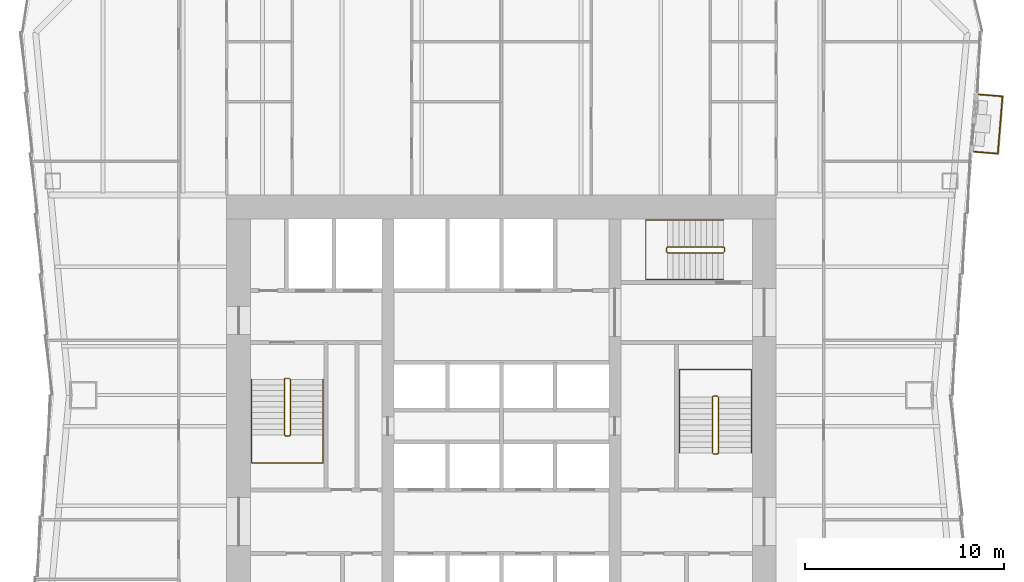
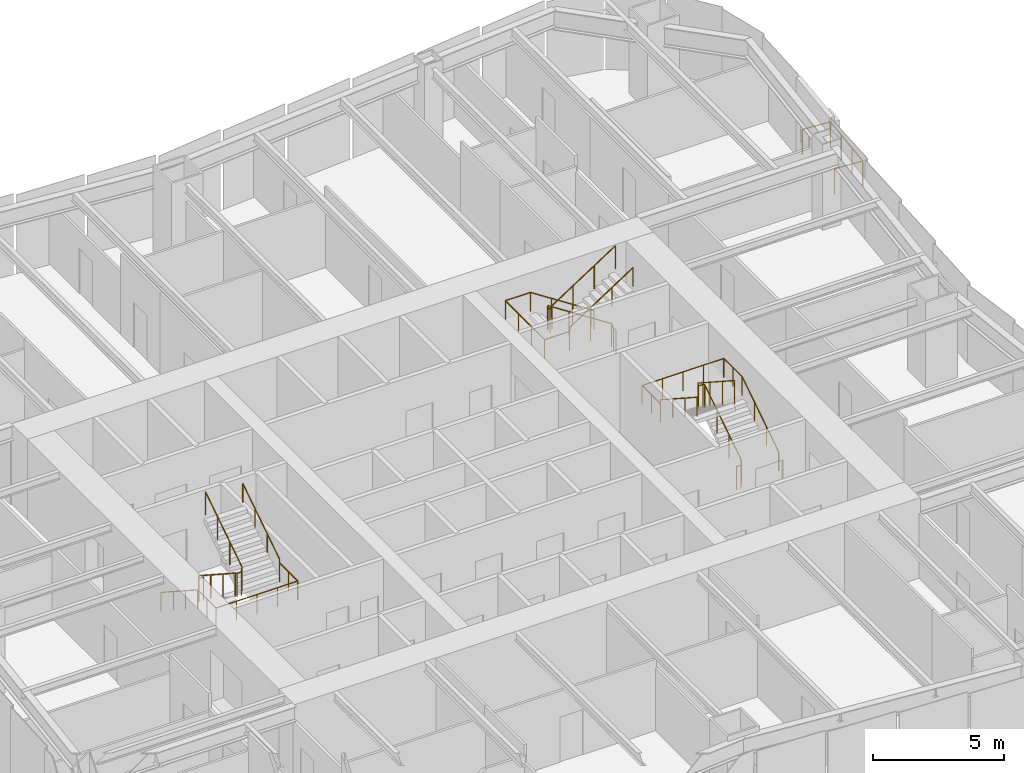
# One storey, part 8 of 9: 7 railings.
"""IFC4 building model written with IfcOpenShell, lengths in metres."""

from ifc_helpers import new_model, si_unit, direction, frame, origin, origin_2d, place, context, subcontext, project, spatial, circle, extrude, material, type_object, element, save


model = new_model("IFC4")

# Units and contexts
model_context = context("Model", 3, precision=1e-05, world=origin(), true_north=direction((0.0, 1.0)))
body_context = subcontext(model_context, "Body", "Model", "MODEL_VIEW")
ifc_project = project(units=[si_unit("LENGTHUNIT", "METRE"), si_unit("AREAUNIT", "SQUARE_METRE"), si_unit("VOLUMEUNIT", "CUBIC_METRE"), si_unit("PLANEANGLEUNIT", "RADIAN"), si_unit("MASSUNIT", "GRAM", prefix="KILO")], contexts=[model_context])

# Site, building, storey
site_placement = place(None, origin())
site = spatial("IfcSite", under=ifc_project, at=site_placement, CompositionType="ELEMENT")
building_placement = place(site_placement, origin())
building = spatial("IfcBuilding", under=site, at=building_placement, Name="Verdant Reach Tower", CompositionType="ELEMENT")
storey_placement = place(building_placement, frame((0.0, 0.0, 110.0)))
storey = spatial("IfcBuildingStorey", under=building, at=storey_placement, Name="L25", CompositionType="ELEMENT", Elevation=110.0)

# Railings
ifc_material_1 = material(Name="Stainless steel", Category="steel")
railing_type_1 = type_object("IfcRailingType", Name="CO-GUARD", PredefinedType="GUARDRAIL", material=ifc_material_1)
railing_1_placement = place(storey_placement, frame((-10.64990234375, 29.60009765625, 0.0)))
element("IfcRailing", 1, at=railing_1_placement, inside=storey, type_object=railing_type_1, Name="L25 ST-1 stair guard 1", PredefinedType="GUARDRAIL", context=body_context, shape_type="SweptSolid", body=[
    extrude(circle(Radius=0.02392578125, at=origin_2d()), frame((0.0, 0.0, 1.076171875), z_axis=(-1.0, 0.0, 0.0), x_axis=(0.0, -1.0, 0.0)), (0.0, 0.0, 1.0), 0.2001953125),
    extrude(circle(Radius=0.02392578125, at=origin_2d()), frame((-0.2001953125, 0.0, 1.076171875), z_axis=(-0.25526617399, -0.256517478764, 0.932222056972), x_axis=(0.708833529934, -0.705375805398, 0.0)), (0.0, 0.0, 1.0), 0.195068359375),
    extrude(circle(Radius=0.02392578125, at=origin_2d()), frame((-0.25, -0.050048828125, 1.2578125), z_axis=(0.0, -0.838705829183, 0.544584733623), x_axis=(1.0, 0.0, 0.0)), (0.0, 0.0, 1.0), 3.338623046875),
    extrude(circle(Radius=0.02392578125, at=origin_2d()), frame((-0.25, -2.85009765625, 3.076171875), z_axis=(0.705375805398, -0.708833529934, 0.0), x_axis=(0.708833529934, 0.705375805398, 0.0)), (0.0, 0.0, 1.0), 0.070556640625),
    extrude(circle(Radius=0.02392578125, at=origin_2d()), frame((-0.2001953125, -2.900146484375, 3.076171875), z_axis=(1.0, 0.0, 0.0), x_axis=(0.0, 1.0, 0.0)), (0.0, 0.0, 1.0), 0.2001953125),
    extrude(circle(Radius=0.02392578125, at=origin_2d()), frame((0.0, -2.900146484375, 3.076171875), z_axis=(0.25526617399, 0.256517478764, 0.932222056972), x_axis=(-0.708833529934, 0.705375805398, 0.0)), (0.0, 0.0, 1.0), 0.195068359375),
    extrude(circle(Radius=0.02392578125, at=origin_2d()), frame((0.0498046875, -2.85009765625, 3.2578125), z_axis=(0.0, 0.838705829183, 0.544584733623), x_axis=(-1.0, 0.0, 0.0)), (0.0, 0.0, 1.0), 3.338623046875),
    extrude(circle(Radius=0.02099609375, at=origin_2d()), origin(), (0.0, 0.0, 1.0), 1.052001953125),
    extrude(circle(Radius=0.02099609375, at=origin_2d()), frame((-0.2001953125, 0.0, 0.0)), (0.0, 0.0, 1.0), 1.052001953125),
    extrude(circle(Radius=0.02099609375, at=origin_2d()), frame((-0.25, -0.050048828125, 0.181884765625)), (0.0, 0.0, 1.0), 1.052001953125),
    extrude(circle(Radius=0.02099609375, at=origin_2d()), frame((-0.25, -0.9833984375, 0.787841796875)), (0.0, 0.0, 1.0), 1.052001953125),
    extrude(circle(Radius=0.02099609375, at=origin_2d()), frame((-0.25, -1.916748046875, 1.39404296875)), (0.0, 0.0, 1.0), 1.052001953125),
    extrude(circle(Radius=0.02099609375, at=origin_2d()), frame((-0.25, -2.85009765625, 2.0)), (0.0, 0.0, 1.0), 1.052001953125),
    extrude(circle(Radius=0.02099609375, at=origin_2d()), frame((-0.2001953125, -2.900146484375, 2.0)), (0.0, 0.0, 1.0), 1.052001953125),
    extrude(circle(Radius=0.02099609375, at=origin_2d()), frame((0.0, -2.900146484375, 2.0)), (0.0, 0.0, 1.0), 1.052001953125),
    extrude(circle(Radius=0.02099609375, at=origin_2d()), frame((0.0498046875, -2.85009765625, 2.181884765625)), (0.0, 0.0, 1.0), 1.052001953125),
    extrude(circle(Radius=0.02099609375, at=origin_2d()), frame((0.0498046875, -1.916748046875, 2.787841796875)), (0.0, 0.0, 1.0), 1.052001953125),
    extrude(circle(Radius=0.02099609375, at=origin_2d()), frame((0.0498046875, -0.9833984375, 3.39404296875)), (0.0, 0.0, 1.0), 1.052001953125),
    extrude(circle(Radius=0.02099609375, at=origin_2d()), frame((0.0498046875, -0.050048828125, 4.0)), (0.0, 0.0, 1.0), 1.052001953125),
])
railing_2_placement = place(storey_placement, frame((10.64990234375, 25.800048828125, 0.0)))
element("IfcRailing", 2, at=railing_2_placement, inside=storey, type_object=railing_type_1, Name="L25 ST-2 stair guard 1", PredefinedType="GUARDRAIL", context=body_context, shape_type="SweptSolid", body=[
    extrude(circle(Radius=0.02392578125, at=origin_2d()), frame((0.0, 0.0, 1.076171875), z_axis=(1.0, 0.0, 0.0), x_axis=(0.0, 1.0, 0.0)), (0.0, 0.0, 1.0), 0.2001953125),
    extrude(circle(Radius=0.02392578125, at=origin_2d()), frame((0.2001953125, 0.0, 1.076171875), z_axis=(0.25526617399, 0.256517478764, 0.932222056972), x_axis=(-0.708833529934, 0.705375805398, 0.0)), (0.0, 0.0, 1.0), 0.195068359375),
    extrude(circle(Radius=0.02392578125, at=origin_2d()), frame((0.25, 0.050048828125, 1.2578125), z_axis=(0.0, 0.83868413941, 0.544618136222), x_axis=(-1.0, 0.0, 0.0)), (0.0, 0.0, 1.0), 3.33837890625),
    extrude(circle(Radius=0.02392578125, at=origin_2d()), frame((0.25, 2.849853515625, 3.076171875), z_axis=(-0.705375805398, 0.708833529934, 0.0), x_axis=(-0.708833529934, -0.705375805398, 0.0)), (0.0, 0.0, 1.0), 0.070556640625),
    extrude(circle(Radius=0.02392578125, at=origin_2d()), frame((0.2001953125, 2.89990234375, 3.076171875), z_axis=(-1.0, 0.0, 0.0), x_axis=(0.0, -1.0, 0.0)), (0.0, 0.0, 1.0), 0.2001953125),
    extrude(circle(Radius=0.02392578125, at=origin_2d()), frame((0.0, 2.89990234375, 3.076171875), z_axis=(-0.25526617399, -0.256517478764, 0.932222056972), x_axis=(0.708833529934, -0.705375805398, 0.0)), (0.0, 0.0, 1.0), 0.195068359375),
    extrude(circle(Radius=0.02392578125, at=origin_2d()), frame((-0.0498046875, 2.849853515625, 3.2578125), z_axis=(0.0, -0.83868413941, 0.544618136222), x_axis=(1.0, 0.0, 0.0)), (0.0, 0.0, 1.0), 3.33837890625),
    extrude(circle(Radius=0.02099609375, at=origin_2d()), origin(), (0.0, 0.0, 1.0), 1.052001953125),
    extrude(circle(Radius=0.02099609375, at=origin_2d()), frame((0.2001953125, 0.0, 0.0)), (0.0, 0.0, 1.0), 1.052001953125),
    extrude(circle(Radius=0.02099609375, at=origin_2d()), frame((0.25, 0.050048828125, 0.181884765625)), (0.0, 0.0, 1.0), 1.052001953125),
    extrude(circle(Radius=0.02099609375, at=origin_2d()), frame((0.25, 0.9833984375, 0.787841796875)), (0.0, 0.0, 1.0), 1.052001953125),
    extrude(circle(Radius=0.02099609375, at=origin_2d()), frame((0.25, 1.91650390625, 1.39404296875)), (0.0, 0.0, 1.0), 1.052001953125),
    extrude(circle(Radius=0.02099609375, at=origin_2d()), frame((0.25, 2.849853515625, 2.0)), (0.0, 0.0, 1.0), 1.052001953125),
    extrude(circle(Radius=0.02099609375, at=origin_2d()), frame((0.2001953125, 2.89990234375, 2.0)), (0.0, 0.0, 1.0), 1.052001953125),
    extrude(circle(Radius=0.02099609375, at=origin_2d()), frame((0.0, 2.89990234375, 2.0)), (0.0, 0.0, 1.0), 1.052001953125),
    extrude(circle(Radius=0.02099609375, at=origin_2d()), frame((-0.0498046875, 2.849853515625, 2.181884765625)), (0.0, 0.0, 1.0), 1.052001953125),
    extrude(circle(Radius=0.02099609375, at=origin_2d()), frame((-0.0498046875, 1.91650390625, 2.787841796875)), (0.0, 0.0, 1.0), 1.052001953125),
    extrude(circle(Radius=0.02099609375, at=origin_2d()), frame((-0.0498046875, 0.9833984375, 3.39404296875)), (0.0, 0.0, 1.0), 1.052001953125),
    extrude(circle(Radius=0.02099609375, at=origin_2d()), frame((-0.0498046875, 0.050048828125, 4.0)), (0.0, 0.0, 1.0), 1.052001953125),
])
railing_3_placement = place(storey_placement, frame((11.199951171875, 35.949951171875, 0.0)))
element("IfcRailing", 3, at=railing_3_placement, inside=storey, type_object=railing_type_1, Name="L25 ST-3 stair guard 1", PredefinedType="GUARDRAIL", context=body_context, shape_type="SweptSolid", body=[
    extrude(circle(Radius=0.02392578125, at=origin_2d()), frame((0.0, 0.0, 1.076171875), z_axis=(0.0, 1.0, 0.0), x_axis=(-1.0, 0.0, 0.0)), (0.0, 0.0, 1.0), 0.199951171875),
    extrude(circle(Radius=0.02392578125, at=origin_2d()), frame((0.0, 0.199951171875, 1.076171875), z_axis=(-0.256435381639, 0.256435381639, 0.931923704005), x_axis=(-0.707106781187, -0.707106781187, 0.0)), (0.0, 0.0, 1.0), 0.195068359375),
    extrude(circle(Radius=0.02392578125, at=origin_2d()), frame((-0.050048828125, 0.25, 1.2578125), z_axis=(-0.83868413941, 0.0, 0.544618136222), x_axis=(0.0, -1.0, 0.0)), (0.0, 0.0, 1.0), 3.33837890625),
    extrude(circle(Radius=0.02392578125, at=origin_2d()), frame((-2.849853515625, 0.25, 3.076171875), z_axis=(-0.707106781187, -0.707106781187, 0.0), x_axis=(0.707106781187, -0.707106781187, 0.0)), (0.0, 0.0, 1.0), 0.07080078125),
    extrude(circle(Radius=0.02392578125, at=origin_2d()), frame((-2.89990234375, 0.199951171875, 3.076171875), z_axis=(0.0, -1.0, 0.0), x_axis=(1.0, 0.0, 0.0)), (0.0, 0.0, 1.0), 0.199951171875),
    extrude(circle(Radius=0.02392578125, at=origin_2d()), frame((-2.89990234375, 0.0, 3.076171875), z_axis=(0.256435381639, -0.256435381639, 0.931923704005), x_axis=(0.707106781187, 0.707106781187, 0.0)), (0.0, 0.0, 1.0), 0.195068359375),
    extrude(circle(Radius=0.02392578125, at=origin_2d()), frame((-2.849853515625, -0.050048828125, 3.2578125), z_axis=(0.83868413941, 0.0, 0.544618136222), x_axis=(0.0, 1.0, 0.0)), (0.0, 0.0, 1.0), 3.33837890625),
    extrude(circle(Radius=0.02099609375, at=origin_2d()), origin(), (0.0, 0.0, 1.0), 1.052001953125),
    extrude(circle(Radius=0.02099609375, at=origin_2d()), frame((0.0, 0.199951171875, 0.0)), (0.0, 0.0, 1.0), 1.052001953125),
    extrude(circle(Radius=0.02099609375, at=origin_2d()), frame((-0.050048828125, 0.25, 0.181884765625)), (0.0, 0.0, 1.0), 1.052001953125),
    extrude(circle(Radius=0.02099609375, at=origin_2d()), frame((-0.9833984375, 0.25, 0.787841796875)), (0.0, 0.0, 1.0), 1.052001953125),
    extrude(circle(Radius=0.02099609375, at=origin_2d()), frame((-1.91650390625, 0.25, 1.39404296875)), (0.0, 0.0, 1.0), 1.052001953125),
    extrude(circle(Radius=0.02099609375, at=origin_2d()), frame((-2.849853515625, 0.25, 2.0)), (0.0, 0.0, 1.0), 1.052001953125),
    extrude(circle(Radius=0.02099609375, at=origin_2d()), frame((-2.89990234375, 0.199951171875, 2.0)), (0.0, 0.0, 1.0), 1.052001953125),
    extrude(circle(Radius=0.02099609375, at=origin_2d()), frame((-2.89990234375, 0.0, 2.0)), (0.0, 0.0, 1.0), 1.052001953125),
    extrude(circle(Radius=0.02099609375, at=origin_2d()), frame((-2.849853515625, -0.050048828125, 2.181884765625)), (0.0, 0.0, 1.0), 1.052001953125),
    extrude(circle(Radius=0.02099609375, at=origin_2d()), frame((-1.91650390625, -0.050048828125, 2.787841796875)), (0.0, 0.0, 1.0), 1.052001953125),
    extrude(circle(Radius=0.02099609375, at=origin_2d()), frame((-0.9833984375, -0.050048828125, 3.39404296875)), (0.0, 0.0, 1.0), 1.052001953125),
    extrude(circle(Radius=0.02099609375, at=origin_2d()), frame((-0.050048828125, -0.050048828125, 4.0)), (0.0, 0.0, 1.0), 1.052001953125),
])
railing_type_2 = type_object("IfcRailingType", Name="CO-HANDRAIL", PredefinedType="HANDRAIL", material=ifc_material_1)
railing_4_placement = place(storey_placement, frame((-12.550048828125, 29.550048828125, 0.181884765625)))
element("IfcRailing", 4, at=railing_4_placement, inside=storey, type_object=railing_type_2, Name="L25 ST-1 stair handrail 1", PredefinedType="HANDRAIL", context=body_context, shape_type="SweptSolid", body=[
    extrude(circle(Radius=0.02392578125, at=origin_2d()), frame((0.0, 0.0, 0.8759765625), z_axis=(0.0, -0.838705829183, 0.544584733623), x_axis=(1.0, 0.0, 0.0)), (0.0, 0.0, 1.0), 3.338623046875),
    extrude(circle(Radius=0.02392578125, at=origin_2d()), frame((0.0, -2.800048828125, 2.69384765625), z_axis=(0.0, -1.0, 0.0), x_axis=(1.0, 0.0, 0.0)), (0.0, 0.0, 1.0), 1.39990234375),
    extrude(circle(Radius=0.02392578125, at=origin_2d()), frame((0.0, -4.199951171875, 2.69384765625), z_axis=(1.0, 0.0, 0.0), x_axis=(0.0, 1.0, 0.0)), (0.0, 0.0, 1.0), 3.60009765625),
    extrude(circle(Radius=0.02392578125, at=origin_2d()), frame((3.60009765625, -4.199951171875, 2.69384765625), z_axis=(0.0, 1.0, 0.0), x_axis=(-1.0, 0.0, 0.0)), (0.0, 0.0, 1.0), 1.39990234375),
    extrude(circle(Radius=0.02392578125, at=origin_2d()), frame((3.60009765625, -2.800048828125, 2.69384765625), z_axis=(0.0, 0.0, 1.0), x_axis=(1.0, 0.0, 0.0)), (0.0, 0.0, 1.0), 0.181884765625),
    extrude(circle(Radius=0.02392578125, at=origin_2d()), frame((3.60009765625, -2.800048828125, 2.8759765625), z_axis=(0.0, 0.838705829183, 0.544584733623), x_axis=(-1.0, 0.0, 0.0)), (0.0, 0.0, 1.0), 3.338623046875),
    extrude(circle(Radius=0.02099609375, at=origin_2d()), origin(), (0.0, 0.0, 1.0), 0.851806640625),
    extrude(circle(Radius=0.02099609375, at=origin_2d()), frame((0.0, -0.933349609375, 0.60595703125)), (0.0, 0.0, 1.0), 0.851806640625),
    extrude(circle(Radius=0.02099609375, at=origin_2d()), frame((0.0, -1.86669921875, 1.212158203125)), (0.0, 0.0, 1.0), 0.851806640625),
    extrude(circle(Radius=0.02099609375, at=origin_2d()), frame((0.0, -2.800048828125, 1.818115234375)), (0.0, 0.0, 1.0), 0.851806640625),
    extrude(circle(Radius=0.02099609375, at=origin_2d()), frame((0.0, -3.5, 1.818115234375)), (0.0, 0.0, 1.0), 0.851806640625),
    extrude(circle(Radius=0.02099609375, at=origin_2d()), frame((0.0, -4.199951171875, 1.818115234375)), (0.0, 0.0, 1.0), 0.851806640625),
    extrude(circle(Radius=0.02099609375, at=origin_2d()), frame((0.89990234375, -4.199951171875, 1.818115234375)), (0.0, 0.0, 1.0), 0.851806640625),
    extrude(circle(Radius=0.02099609375, at=origin_2d()), frame((1.800048828125, -4.199951171875, 1.818115234375)), (0.0, 0.0, 1.0), 0.851806640625),
    extrude(circle(Radius=0.02099609375, at=origin_2d()), frame((2.7001953125, -4.199951171875, 1.818115234375)), (0.0, 0.0, 1.0), 0.851806640625),
    extrude(circle(Radius=0.02099609375, at=origin_2d()), frame((3.60009765625, -4.199951171875, 1.818115234375)), (0.0, 0.0, 1.0), 0.851806640625),
    extrude(circle(Radius=0.02099609375, at=origin_2d()), frame((3.60009765625, -3.5, 1.818115234375)), (0.0, 0.0, 1.0), 0.851806640625),
    extrude(circle(Radius=0.02099609375, at=origin_2d()), frame((3.60009765625, -2.800048828125, 1.818115234375)), (0.0, 0.0, 1.0), 0.851806640625),
    extrude(circle(Radius=0.02099609375, at=origin_2d()), frame((3.60009765625, -2.800048828125, 2.0)), (0.0, 0.0, 1.0), 0.851806640625),
    extrude(circle(Radius=0.02099609375, at=origin_2d()), frame((3.60009765625, -1.86669921875, 2.60595703125)), (0.0, 0.0, 1.0), 0.851806640625),
    extrude(circle(Radius=0.02099609375, at=origin_2d()), frame((3.60009765625, -0.933349609375, 3.212158203125)), (0.0, 0.0, 1.0), 0.851806640625),
    extrude(circle(Radius=0.02099609375, at=origin_2d()), frame((3.60009765625, 0.0, 3.818115234375)), (0.0, 0.0, 1.0), 0.851806640625),
])
railing_5_placement = place(storey_placement, frame((12.550048828125, 25.85009765625, 0.181884765625)))
element("IfcRailing", 5, at=railing_5_placement, inside=storey, type_object=railing_type_2, Name="L25 ST-2 stair handrail 1", PredefinedType="HANDRAIL", context=body_context, shape_type="SweptSolid", body=[
    extrude(circle(Radius=0.02392578125, at=origin_2d()), frame((0.0, 0.0, 0.8759765625), z_axis=(0.0, 0.83868413941, 0.544618136222), x_axis=(-1.0, 0.0, 0.0)), (0.0, 0.0, 1.0), 3.33837890625),
    extrude(circle(Radius=0.02392578125, at=origin_2d()), frame((0.0, 2.7998046875, 2.69384765625), z_axis=(0.0, 1.0, 0.0), x_axis=(-1.0, 0.0, 0.0)), (0.0, 0.0, 1.0), 1.400146484375),
    extrude(circle(Radius=0.02392578125, at=origin_2d()), frame((0.0, 4.199951171875, 2.69384765625), z_axis=(-1.0, 0.0, 0.0), x_axis=(0.0, -1.0, 0.0)), (0.0, 0.0, 1.0), 3.60009765625),
    extrude(circle(Radius=0.02392578125, at=origin_2d()), frame((-3.60009765625, 4.199951171875, 2.69384765625), z_axis=(0.0, -1.0, 0.0), x_axis=(1.0, 0.0, 0.0)), (0.0, 0.0, 1.0), 1.400146484375),
    extrude(circle(Radius=0.02392578125, at=origin_2d()), frame((-3.60009765625, 2.7998046875, 2.69384765625), z_axis=(0.0, 0.0, 1.0), x_axis=(1.0, 0.0, 0.0)), (0.0, 0.0, 1.0), 0.181884765625),
    extrude(circle(Radius=0.02392578125, at=origin_2d()), frame((-3.60009765625, 2.7998046875, 2.8759765625), z_axis=(0.0, -0.83868413941, 0.544618136222), x_axis=(1.0, 0.0, 0.0)), (0.0, 0.0, 1.0), 3.33837890625),
    extrude(circle(Radius=0.02099609375, at=origin_2d()), origin(), (0.0, 0.0, 1.0), 0.851806640625),
    extrude(circle(Radius=0.02099609375, at=origin_2d()), frame((0.0, 0.933349609375, 0.60595703125)), (0.0, 0.0, 1.0), 0.851806640625),
    extrude(circle(Radius=0.02099609375, at=origin_2d()), frame((0.0, 1.866455078125, 1.212158203125)), (0.0, 0.0, 1.0), 0.851806640625),
    extrude(circle(Radius=0.02099609375, at=origin_2d()), frame((0.0, 2.7998046875, 1.818115234375)), (0.0, 0.0, 1.0), 0.851806640625),
    extrude(circle(Radius=0.02099609375, at=origin_2d()), frame((0.0, 3.5, 1.818115234375)), (0.0, 0.0, 1.0), 0.851806640625),
    extrude(circle(Radius=0.02099609375, at=origin_2d()), frame((0.0, 4.199951171875, 1.818115234375)), (0.0, 0.0, 1.0), 0.851806640625),
    extrude(circle(Radius=0.02099609375, at=origin_2d()), frame((-0.89990234375, 4.199951171875, 1.818115234375)), (0.0, 0.0, 1.0), 0.851806640625),
    extrude(circle(Radius=0.02099609375, at=origin_2d()), frame((-1.800048828125, 4.199951171875, 1.818115234375)), (0.0, 0.0, 1.0), 0.851806640625),
    extrude(circle(Radius=0.02099609375, at=origin_2d()), frame((-2.7001953125, 4.199951171875, 1.818115234375)), (0.0, 0.0, 1.0), 0.851806640625),
    extrude(circle(Radius=0.02099609375, at=origin_2d()), frame((-3.60009765625, 4.199951171875, 1.818115234375)), (0.0, 0.0, 1.0), 0.851806640625),
    extrude(circle(Radius=0.02099609375, at=origin_2d()), frame((-3.60009765625, 3.5, 1.818115234375)), (0.0, 0.0, 1.0), 0.851806640625),
    extrude(circle(Radius=0.02099609375, at=origin_2d()), frame((-3.60009765625, 2.7998046875, 1.818115234375)), (0.0, 0.0, 1.0), 0.851806640625),
    extrude(circle(Radius=0.02099609375, at=origin_2d()), frame((-3.60009765625, 2.7998046875, 2.0)), (0.0, 0.0, 1.0), 0.851806640625),
    extrude(circle(Radius=0.02099609375, at=origin_2d()), frame((-3.60009765625, 1.866455078125, 2.60595703125)), (0.0, 0.0, 1.0), 0.851806640625),
    extrude(circle(Radius=0.02099609375, at=origin_2d()), frame((-3.60009765625, 0.933349609375, 3.212158203125)), (0.0, 0.0, 1.0), 0.851806640625),
    extrude(circle(Radius=0.02099609375, at=origin_2d()), frame((-3.60009765625, 0.0, 3.818115234375)), (0.0, 0.0, 1.0), 0.851806640625),
])
railing_6_placement = place(storey_placement, frame((11.14990234375, 37.550048828125, 0.181884765625)))
element("IfcRailing", 6, at=railing_6_placement, inside=storey, type_object=railing_type_2, Name="L25 ST-3 stair handrail 1", PredefinedType="HANDRAIL", context=body_context, shape_type="SweptSolid", body=[
    extrude(circle(Radius=0.02392578125, at=origin_2d()), frame((0.0, 0.0, 0.8759765625), z_axis=(-0.83868413941, 0.0, 0.544618136222), x_axis=(0.0, -1.0, 0.0)), (0.0, 0.0, 1.0), 3.33837890625),
    extrude(circle(Radius=0.02392578125, at=origin_2d()), frame((-2.7998046875, 0.0, 2.69384765625), z_axis=(-1.0, 0.0, 0.0), x_axis=(0.0, -1.0, 0.0)), (0.0, 0.0, 1.0), 1.10009765625),
    extrude(circle(Radius=0.02392578125, at=origin_2d()), frame((-3.89990234375, 0.0, 2.69384765625), z_axis=(0.0, -1.0, 0.0), x_axis=(1.0, 0.0, 0.0)), (0.0, 0.0, 1.0), 3.0),
    extrude(circle(Radius=0.02392578125, at=origin_2d()), frame((-3.89990234375, -3.0, 2.69384765625), z_axis=(1.0, 0.0, 0.0), x_axis=(0.0, 1.0, 0.0)), (0.0, 0.0, 1.0), 1.10009765625),
    extrude(circle(Radius=0.02392578125, at=origin_2d()), frame((-2.7998046875, -3.0, 2.69384765625), z_axis=(0.0, 0.0, 1.0), x_axis=(1.0, 0.0, 0.0)), (0.0, 0.0, 1.0), 0.181884765625),
    extrude(circle(Radius=0.02392578125, at=origin_2d()), frame((-2.7998046875, -3.0, 2.8759765625), z_axis=(0.83868413941, 0.0, 0.544618136222), x_axis=(0.0, 1.0, 0.0)), (0.0, 0.0, 1.0), 3.33837890625),
    extrude(circle(Radius=0.02099609375, at=origin_2d()), origin(), (0.0, 0.0, 1.0), 0.851806640625),
    extrude(circle(Radius=0.02099609375, at=origin_2d()), frame((-0.933349609375, 0.0, 0.60595703125)), (0.0, 0.0, 1.0), 0.851806640625),
    extrude(circle(Radius=0.02099609375, at=origin_2d()), frame((-1.866455078125, 0.0, 1.212158203125)), (0.0, 0.0, 1.0), 0.851806640625),
    extrude(circle(Radius=0.02099609375, at=origin_2d()), frame((-2.7998046875, 0.0, 1.818115234375)), (0.0, 0.0, 1.0), 0.851806640625),
    extrude(circle(Radius=0.02099609375, at=origin_2d()), frame((-3.89990234375, 0.0, 1.818115234375)), (0.0, 0.0, 1.0), 0.851806640625),
    extrude(circle(Radius=0.02099609375, at=origin_2d()), frame((-3.89990234375, -1.0, 1.818115234375)), (0.0, 0.0, 1.0), 0.851806640625),
    extrude(circle(Radius=0.02099609375, at=origin_2d()), frame((-3.89990234375, -2.0, 1.818115234375)), (0.0, 0.0, 1.0), 0.851806640625),
    extrude(circle(Radius=0.02099609375, at=origin_2d()), frame((-3.89990234375, -3.0, 1.818115234375)), (0.0, 0.0, 1.0), 0.851806640625),
    extrude(circle(Radius=0.02099609375, at=origin_2d()), frame((-2.7998046875, -3.0, 1.818115234375)), (0.0, 0.0, 1.0), 0.851806640625),
    extrude(circle(Radius=0.02099609375, at=origin_2d()), frame((-2.7998046875, -3.0, 2.0)), (0.0, 0.0, 1.0), 0.851806640625),
    extrude(circle(Radius=0.02099609375, at=origin_2d()), frame((-1.866455078125, -3.0, 2.60595703125)), (0.0, 0.0, 1.0), 0.851806640625),
    extrude(circle(Radius=0.02099609375, at=origin_2d()), frame((-0.933349609375, -3.0, 3.212158203125)), (0.0, 0.0, 1.0), 0.851806640625),
    extrude(circle(Radius=0.02099609375, at=origin_2d()), frame((0.0, -3.0, 3.818115234375)), (0.0, 0.0, 1.0), 0.851806640625),
])
ifc_material_2 = material(Name="Stainless steel and laminated glass balustrade", Category="steel")
railing_type_3 = type_object("IfcRailingType", Name="EN-RAILING BALCONY", PredefinedType="GUARDRAIL", material=ifc_material_2)
railing_7_placement = place(storey_placement, frame((23.741943359375, 40.97802734375, 0.0)))
element("IfcRailing", 7, at=railing_7_placement, inside=storey, type_object=railing_type_3, Name="Balcony guard 1, L25", PredefinedType="GUARDRAIL", context=body_context, shape_type="SweptSolid", body=[
    extrude(circle(Radius=0.02490234375, at=origin_2d()), frame((0.0, 0.0, 1.1748046875), z_axis=(0.996649328179, -0.081793133211, 0.0), x_axis=(0.081793133211, 0.996649328179, 0.0)), (0.0, 0.0, 1.0), 1.19384765625),
    extrude(circle(Radius=0.02490234375, at=origin_2d()), frame((1.18994140625, -0.09765625, 1.1748046875), z_axis=(0.081863827639, 0.996643523896, 0.0), x_axis=(-0.996643523896, 0.081863827639, 0.0)), (0.0, 0.0, 1.0), 2.889892578125),
    extrude(circle(Radius=0.02490234375, at=origin_2d()), frame((1.426513671875, 2.782470703125, 1.1748046875), z_axis=(-0.996649328179, 0.081793133211, 0.0), x_axis=(-0.081793133211, -0.996649328179, 0.0)), (0.0, 0.0, 1.0), 1.19384765625),
    extrude(circle(Radius=0.02490234375, at=origin_2d()), origin(), (0.0, 0.0, 1.0), 1.14990234375),
    extrude(circle(Radius=0.02490234375, at=origin_2d()), frame((1.18994140625, -0.09765625, 0.0)), (0.0, 0.0, 1.0), 1.14990234375),
    extrude(circle(Radius=0.02490234375, at=origin_2d()), frame((1.268798828125, 0.8623046875, 0.0)), (0.0, 0.0, 1.0), 1.14990234375),
    extrude(circle(Radius=0.02490234375, at=origin_2d()), frame((1.34765625, 1.822509765625, 0.0)), (0.0, 0.0, 1.0), 1.14990234375),
    extrude(circle(Radius=0.02490234375, at=origin_2d()), frame((1.426513671875, 2.782470703125, 0.0)), (0.0, 0.0, 1.0), 1.14990234375),
    extrude(circle(Radius=0.02490234375, at=origin_2d()), frame((0.236572265625, 2.880126953125, 0.0)), (0.0, 0.0, 1.0), 1.14990234375),
])

save(model, "model.ifc")
